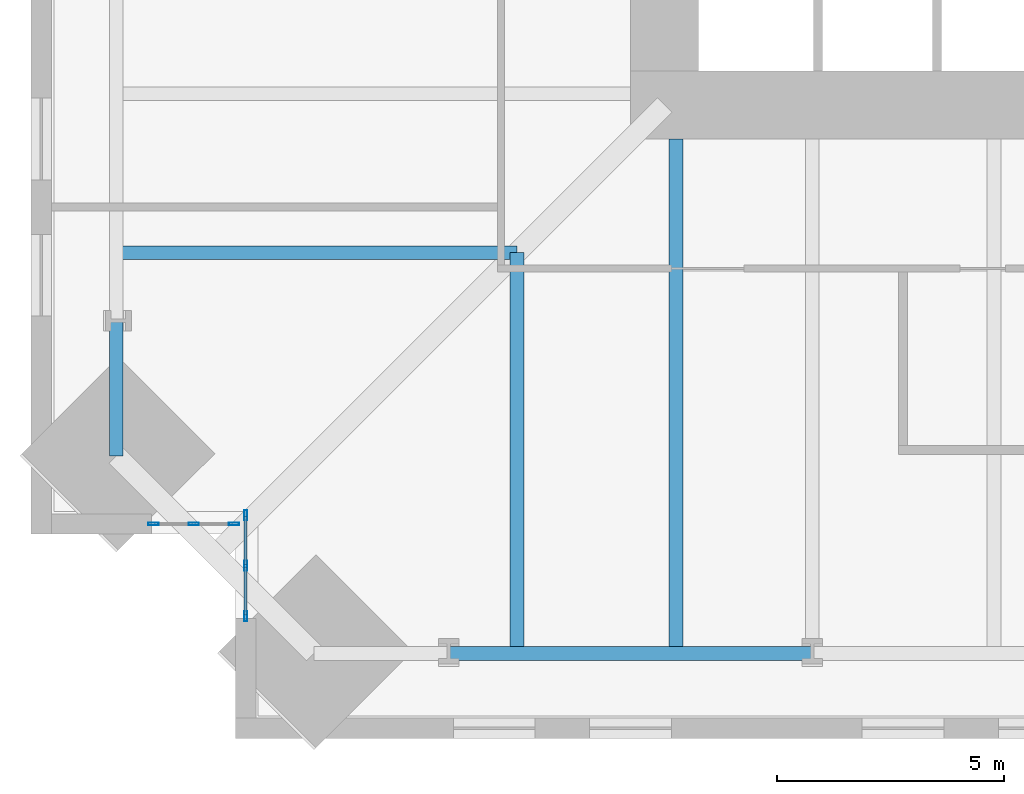
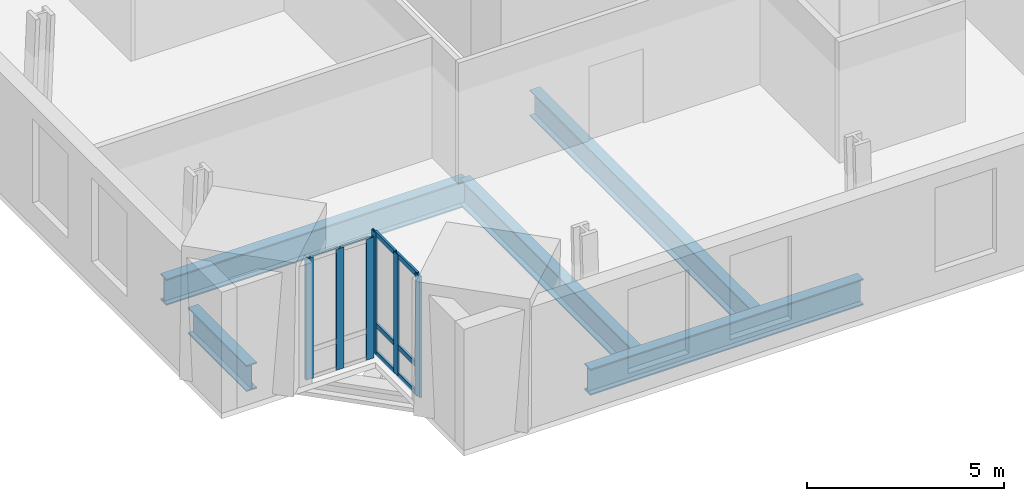
# One storey, part 2 of 15: 12 members, 5 beams, 2 elements without a shape of their own.
"""IFC4 building model written with IfcOpenShell, lengths in metres."""

import ifcopenshell
import ifcopenshell.guid

model = None  # the IFC model being written
_history = None  # IfcOwnerHistory: only IFC2X3 demands one
_inside = {}  # id of a spatial element -> (the spatial element, [elements in it])
_under = {}  # id of a project, library or spatial element -> (it, [spatial elements below it])
_declared = {}  # id of a project -> (the project, [libraries it declares])
_typed = {}  # id of a type object -> (the type object, [elements of that type])
_made_of = {}  # id of a material, layer set ... -> (it, [elements and type objects made of it])


def new_model(schema):
    """Start an empty IFC model of exactly this schema.

    Asked for "IFC4X3", IfcOpenShell would pick the latest addendum, in which some entities
    have other attributes; the version numbers below select the first issue.
    IFC2X3 requires an IfcOwnerHistory on every rooted entity: one is made here for all.
    """
    global model, _history
    if schema == "IFC4X3":
        model = ifcopenshell.file(schema_version=(4, 3, 0, 0))
    else:
        model = ifcopenshell.file(schema=schema)
    _inside.clear()
    _under.clear()
    _declared.clear()
    _typed.clear()
    _made_of.clear()
    _history = None
    if model.schema == "IFC2X3":
        org = make("IfcOrganization", Name="unknown")
        user = make(
            "IfcPersonAndOrganization",
            ThePerson=make("IfcPerson", FamilyName="unknown"),
            TheOrganization=org,
        )
        app = make(
            "IfcApplication",
            ApplicationDeveloper=org,
            Version="unknown",
            ApplicationFullName="unknown",
            ApplicationIdentifier="unknown",
        )
        _history = make(
            "IfcOwnerHistory",
            OwningUser=user,
            OwningApplication=app,
            ChangeAction="ADDED",
            CreationDate=0,
        )
    return model


def make(cls, **values):
    """One entity of the class cls with the attributes given. An attribute that is None is left unset."""
    return model.create_entity(
        cls, **{name: value for name, value in values.items() if value is not None}
    )


def rooted(cls, **values):
    """An entity with a GlobalId (a new one), such as an element, a storey or a relation."""
    return make(cls, GlobalId=ifcopenshell.guid.new(), OwnerHistory=_history, **values)


def si_unit(unit_type, name, prefix=None):
    """IfcSIUnit, for example si_unit("LENGTHUNIT", "METRE", prefix="MILLI")."""
    return make("IfcSIUnit", UnitType=unit_type, Prefix=prefix, Name=name)


def assignment(units):
    """IfcUnitAssignment: the units of a project."""
    return None if units is None else make("IfcUnitAssignment", Units=units)


def point(xyz):
    """IfcCartesianPoint."""
    return None if xyz is None else make("IfcCartesianPoint", Coordinates=xyz)


def direction(xyz):
    """IfcDirection."""
    return None if xyz is None else make("IfcDirection", DirectionRatios=xyz)


def frame(location, z_axis=None, x_axis=None):
    """IfcAxis2Placement3D, a coordinate frame: its origin and axes. An axis left out is left unset."""
    return make(
        "IfcAxis2Placement3D",
        Location=point(location),
        Axis=direction(z_axis),
        RefDirection=direction(x_axis),
    )


def frame_2d(location, x_axis=None):
    """IfcAxis2Placement2D, a coordinate frame in the plane: its origin and x axis."""
    return make(
        "IfcAxis2Placement2D", Location=point(location), RefDirection=direction(x_axis)
    )


def origin():
    """The frame at (0, 0, 0) with its axes left unset."""
    return frame((0.0, 0.0, 0.0))


def origin_2d():
    """The frame at (0, 0) in the plane with its x axis left unset."""
    return frame_2d((0.0, 0.0))


def place(relative_to, where):
    """IfcLocalPlacement: puts the frame where relative to a parent placement (None: the world)."""
    return make(
        "IfcLocalPlacement", PlacementRelTo=relative_to, RelativePlacement=where
    )


def context(
    kind, dimensions, precision=None, world=None, true_north=None, identifier=None
):
    """IfcGeometricRepresentationContext, for example the 3D "Model" context."""
    return make(
        "IfcGeometricRepresentationContext",
        ContextIdentifier=identifier,
        ContextType=kind,
        CoordinateSpaceDimension=dimensions,
        Precision=precision,
        WorldCoordinateSystem=world,
        TrueNorth=true_north,
    )


def subcontext(parent, identifier, kind, view, scale=None):
    """IfcGeometricRepresentationSubContext, for example "Body" below "Model"."""
    return make(
        "IfcGeometricRepresentationSubContext",
        ContextIdentifier=identifier,
        ContextType=kind,
        ParentContext=parent,
        TargetScale=scale,
        TargetView=view,
    )


def project(units=None, contexts=None):
    """IfcProject with its units and contexts."""
    return rooted(
        "IfcProject",
        Name="project",
        RepresentationContexts=contexts,
        UnitsInContext=assignment(units),
    )


def spatial(cls, under=None, at=None, **own):
    """A site, building, storey or space (cls), placed at a placement, below another one or the project."""
    s = rooted(cls, ObjectPlacement=at, **own)
    if under is not None:
        _under.setdefault(under.id(), (under, []))[1].append(s)
    return s


def profile(cls, at=None, kind="AREA", **sizes):
    """A parametric profile (cls). Its sizes go by their IFC names, for example OverallWidth=200.0."""
    return make(cls, ProfileType=kind, Position=at, **sizes)


def hollow_rectangle(**sizes):
    """IfcRectangleHollowProfileDef."""
    return profile("IfcRectangleHollowProfileDef", **sizes)


def i_section(**sizes):
    """IfcIShapeProfileDef."""
    return profile("IfcIShapeProfileDef", **sizes)


def extrude(swept, where, along, depth):
    """IfcExtrudedAreaSolid: the profile swept, set in the frame where, extruded along a direction by depth."""
    return make(
        "IfcExtrudedAreaSolid",
        SweptArea=swept,
        Position=where,
        ExtrudedDirection=direction(along),
        Depth=depth,
    )


def shape(context_of_items, identifier, shape_type, items):
    """IfcShapeRepresentation: the items that make up one representation, for example the "Body"."""
    return make(
        "IfcShapeRepresentation",
        ContextOfItems=context_of_items,
        RepresentationIdentifier=identifier,
        RepresentationType=shape_type,
        Items=items,
    )


def material(Name=None, Category=None):
    """IfcMaterial."""
    return make("IfcMaterial", Name=Name, Category=Category)


def material_profile(
    of_material, cross_section, Name=None, Category=None, Priority=None
):
    """IfcMaterialProfile: a cross section and its material."""
    return make(
        "IfcMaterialProfile",
        Name=Name,
        Material=of_material,
        Profile=cross_section,
        Priority=Priority,
        Category=Category,
    )


def profile_set(profiles, Name=None, composite=None):
    """IfcMaterialProfileSet."""
    return make(
        "IfcMaterialProfileSet",
        Name=Name,
        MaterialProfiles=profiles,
        CompositeProfile=composite,
    )


def made_of(thing, what):
    """Note that an element or type object is made of a material, layer set ...; save() writes the relation."""
    if what is not None:
        _made_of.setdefault(what.id(), (what, []))[1].append(thing)
    return thing


def type_object(cls, material=None, **own):
    """A type object (cls), such as IfcWallType, which elements share."""
    return made_of(rooted(cls, **own), material)


def element(
    cls,
    number,
    at=None,
    inside=None,
    cuts=None,
    type_object=None,
    material=None,
    context=None,
    identifier="Body",
    shape_type=None,
    held_by="IfcProductDefinitionShape",
    body=None,
    shapes=None,
    **own,
):
    """One element of the class cls, such as IfcWall. Its Tag is "e" and its number.

    at: its placement. inside: the storey or other place that contains it. cuts: it is an
    opening in that element (IfcRelVoidsElement). A single representation is given by context,
    identifier, shape_type and body (its items); several are given by shapes. held_by: the class
    of the entity that holds the representations. save() writes the other relations.
    """
    e = rooted(cls, Tag="e%d" % number, ObjectPlacement=at, **own)
    if body is not None:
        shapes = [shape(context, identifier, shape_type, body)]
    if shapes is not None:
        e.Representation = make(held_by, Representations=shapes)
    if inside is not None:
        _inside.setdefault(inside.id(), (inside, []))[1].append(e)
    if cuts is not None:
        rooted(
            "IfcRelVoidsElement", RelatingBuildingElement=cuts, RelatedOpeningElement=e
        )
    if type_object is not None:
        _typed.setdefault(type_object.id(), (type_object, []))[1].append(e)
    return made_of(e, material)


def aggregate(whole, parts):
    """IfcRelAggregates: a whole, such as a stair, and the parts it consists of."""
    return rooted("IfcRelAggregates", RelatingObject=whole, RelatedObjects=parts)


def save(model, path):
    """Write the relations noted so far, then the file.

    IfcRelAggregates (storeys below a building ...), IfcRelContainedInSpatialStructure (elements
    in a storey), IfcRelDefinesByType, IfcRelAssociatesMaterial and IfcRelDeclares: one each for
    every whole, place, type object, material and project.
    """
    for whole, parts in _under.values():
        aggregate(whole, parts)
    for where, things in _inside.values():
        rooted(
            "IfcRelContainedInSpatialStructure",
            RelatedElements=things,
            RelatingStructure=where,
        )
    for kind, things in _typed.values():
        rooted("IfcRelDefinesByType", RelatedObjects=things, RelatingType=kind)
    for what, things in _made_of.values():
        rooted("IfcRelAssociatesMaterial", RelatedObjects=things, RelatingMaterial=what)
    for by, libraries in _declared.values():
        rooted("IfcRelDeclares", RelatingContext=by, RelatedDefinitions=libraries)
    model.write(path)


model = new_model("IFC4")

# Units and contexts
model_context = context("Model", 3, precision=1e-05, world=origin(), true_north=direction((0.0, 1.0)))
body_context = subcontext(model_context, "Body", "Model", "MODEL_VIEW")
ifc_project = project(units=[si_unit("LENGTHUNIT", "METRE"), si_unit("AREAUNIT", "SQUARE_METRE"), si_unit("VOLUMEUNIT", "CUBIC_METRE"), si_unit("PLANEANGLEUNIT", "RADIAN"), si_unit("MASSUNIT", "GRAM", prefix="KILO")], contexts=[model_context])

# Site, building, storey
site_placement = place(None, origin())
site = spatial("IfcSite", under=ifc_project, at=site_placement, CompositionType="ELEMENT")
building_placement = place(site_placement, origin())
building = spatial("IfcBuilding", under=site, at=building_placement, Name="Peilmerk Tower", CompositionType="ELEMENT")
storey_placement = place(building_placement, frame((0.0, 0.0, 187.800048828125)))
storey = spatial("IfcBuildingStorey", under=building, at=storey_placement, Name="L40", CompositionType="ELEMENT", Elevation=187.800048828125)

# Beams
ifc_material_1 = material(Name="Steel S460", Category="steel")
ifc_material_profile_1 = material_profile(ifc_material_1, i_section(OverallWidth=0.302978515625, OverallDepth=0.81396484375, WebThickness=0.02099609375, FlangeThickness=0.0400390625, at=origin_2d()), Name="HEM 800")
ifc_profile_set_1 = profile_set([ifc_material_profile_1], Name="Steel S460")
beam_type_1 = type_object("IfcBeamType", Name="B26 HEM 800 floor beam", PredefinedType="BEAM", material=ifc_profile_set_1)
beam_1_placement = place(storey_placement, frame((-11.0, -12.0, -0.5771484375), z_axis=(0.0, -1.0, 0.0), x_axis=(1.0, 0.0, 0.0)))
element("IfcBeam", 1, at=beam_1_placement, inside=storey, type_object=beam_type_1, Name="Floor beam L40", PredefinedType="BEAM", context=body_context, shape_type="SweptSolid", body=[
    extrude(i_section(OverallWidth=0.302978515625, OverallDepth=0.81396484375, WebThickness=0.02099609375, FlangeThickness=0.0400390625, at=origin_2d()), origin(), (0.0, 0.0, 1.0), 11.32421875),
])
for number, where, z_axis, x_axis, name in (
    (2, (-14.5, -14.5, -0.5771484375), (0.0, -1.0, 0.0), (1.0, 0.0, 0.0), "Floor beam L40"),
    (3, (-14.5, -14.5, -0.5771484375), (-1.0, 0.0, 0.0), (0.0, -1.0, 0.0), "Floor beam L40"),
):
    element("IfcBeam", number, at=place(storey_placement, frame(where, z_axis=z_axis, x_axis=x_axis)), inside=storey, type_object=beam_type_1, Name=name, PredefinedType="BEAM", context=body_context, shape_type="SweptSolid", body=[
        extrude(i_section(OverallWidth=0.302978515625, OverallDepth=0.81396484375, WebThickness=0.02099609375, FlangeThickness=0.0400390625, at=origin_2d()), origin(), (0.0, 0.0, 1.0), 8.82421875),
    ])
ifc_material_profile_2 = material_profile(ifc_material_1, i_section(OverallWidth=0.302978515625, OverallDepth=0.81396484375, WebThickness=0.02099609375, FlangeThickness=0.0400390625, at=origin_2d()), Name="HEM 800")
ifc_profile_set_2 = profile_set([ifc_material_profile_2], Name="Steel S460")
beam_type_2 = type_object("IfcBeamType", Name="B35 HEM 800 edge beam", PredefinedType="SPANDREL", material=ifc_profile_set_2)
beam_2_placement = place(storey_placement, frame((-16.0, -23.32421875, -0.5771484375), z_axis=(1.0, 0.0, 0.0), x_axis=(0.0, 1.0, 0.0)))
element("IfcBeam", 4, at=beam_2_placement, inside=storey, type_object=beam_type_2, Name="Edge beam L40", PredefinedType="SPANDREL", context=body_context, shape_type="SweptSolid", body=[
    extrude(i_section(OverallWidth=0.302978515625, OverallDepth=0.81396484375, WebThickness=0.02099609375, FlangeThickness=0.0400390625, at=origin_2d()), origin(), (0.0, 0.0, 1.0), 8.0),
])
beam_3_placement = place(storey_placement, frame((-23.32421875, -16.0, -0.5771484375), z_axis=(0.0, -1.0, 0.0), x_axis=(1.0, 0.0, 0.0)))
element("IfcBeam", 5, at=beam_3_placement, inside=storey, type_object=beam_type_2, Name="Edge beam L40", PredefinedType="SPANDREL", context=body_context, shape_type="SweptSolid", body=[
    extrude(i_section(OverallWidth=0.302978515625, OverallDepth=0.81396484375, WebThickness=0.02099609375, FlangeThickness=0.0400390625, at=origin_2d()), origin(), (0.0, 0.0, 1.0), 2.97412109375),
])

# Curtain wall, members
ifc_material_2 = material(Name="Aluminium stick curtain wall", Category="aluminium")
curtain_wall_type = type_object("IfcCurtainWallType", Name="CW3 stick curtain wall, 2250 module", PredefinedType="NOTDEFINED", material=ifc_material_2)
curtain_wall_1_placement = place(storey_placement, origin())
curtain_wall_1 = element("IfcCurtainWall", 6, at=curtain_wall_1_placement, inside=storey, type_object=curtain_wall_type, Name="Curtain wall CW3 SWA L40", PredefinedType="NOTDEFINED")
ifc_material_3 = material(Name="Aluminium EN AW-6063 T6", Category="aluminium")
ifc_material_profile_3 = material_profile(ifc_material_3, hollow_rectangle(XDim=0.06494140625, YDim=0.22509765625, WallThickness=0.00390625, at=origin_2d()), Name="AL 225x65x4")
ifc_profile_set_3 = profile_set([ifc_material_profile_3], Name="Aluminium EN AW-6063 T6")
member_type_1 = type_object("IfcMemberType", Name="CW3-M AL 225x65x4 mullion", PredefinedType="MULLION", material=ifc_profile_set_3)
member_1_placement = place(storey_placement, frame((-20.47509765625, -20.282470703125, 0.0), z_axis=(0.0, 0.0, 1.0), x_axis=(1.0, 0.0, 0.0)))
member_1 = element("IfcMember", 7, at=member_1_placement, type_object=member_type_1, Name="CW3 mullion 1", PredefinedType="MULLION", context=body_context, shape_type="SweptSolid", body=[
    extrude(hollow_rectangle(XDim=0.06494140625, YDim=0.22509765625, WallThickness=0.00390625, at=origin_2d()), origin(), (0.0, 0.0, 1.0), 3.75),
])
member_2_placement = place(storey_placement, frame((-20.47509765625, -21.394287109375, 0.0), z_axis=(0.0, 0.0, 1.0), x_axis=(1.0, 0.0, 0.0)))
member_2 = element("IfcMember", 8, at=member_2_placement, type_object=member_type_1, Name="CW3 mullion 2", PredefinedType="MULLION", context=body_context, shape_type="SweptSolid", body=[
    extrude(hollow_rectangle(XDim=0.06494140625, YDim=0.22509765625, WallThickness=0.00390625, at=origin_2d()), origin(), (0.0, 0.0, 1.0), 3.75),
])
member_3_placement = place(storey_placement, frame((-20.47509765625, -22.506103515625, 0.0), z_axis=(0.0, 0.0, 1.0), x_axis=(1.0, 0.0, 0.0)))
member_3 = element("IfcMember", 9, at=member_3_placement, type_object=member_type_1, Name="CW3 mullion 3", PredefinedType="MULLION", context=body_context, shape_type="SweptSolid", body=[
    extrude(hollow_rectangle(XDim=0.06494140625, YDim=0.22509765625, WallThickness=0.00390625, at=origin_2d()), origin(), (0.0, 0.0, 1.0), 3.75),
])

curtain_wall_2_placement = place(storey_placement, origin())
curtain_wall_2 = element("IfcCurtainWall", 10, at=curtain_wall_2_placement, inside=storey, type_object=curtain_wall_type, Name="Curtain wall CW3 SWB L40", PredefinedType="NOTDEFINED")
member_4_placement = place(storey_placement, frame((-20.732421875, -20.47509765625, 0.0), z_axis=(0.0, 0.0, 1.0), x_axis=(0.0, -1.0, 0.0)))
member_4 = element("IfcMember", 11, at=member_4_placement, type_object=member_type_1, Name="CW3 mullion 1", PredefinedType="MULLION", context=body_context, shape_type="SweptSolid", body=[
    extrude(hollow_rectangle(XDim=0.06494140625, YDim=0.22509765625, WallThickness=0.00390625, at=origin_2d()), origin(), (0.0, 0.0, 1.0), 3.75),
])
member_5_placement = place(storey_placement, frame((-21.619384765625, -20.47509765625, 0.0), z_axis=(0.0, 0.0, 1.0), x_axis=(0.0, -1.0, 0.0)))
member_5 = element("IfcMember", 12, at=member_5_placement, type_object=member_type_1, Name="CW3 mullion 2", PredefinedType="MULLION", context=body_context, shape_type="SweptSolid", body=[
    extrude(hollow_rectangle(XDim=0.06494140625, YDim=0.22509765625, WallThickness=0.00390625, at=origin_2d()), origin(), (0.0, 0.0, 1.0), 3.75),
])
member_6_placement = place(storey_placement, frame((-22.506103515625, -20.47509765625, 0.0), z_axis=(0.0, 0.0, 1.0), x_axis=(0.0, -1.0, 0.0)))
member_6 = element("IfcMember", 13, at=member_6_placement, type_object=member_type_1, Name="CW3 mullion 3", PredefinedType="MULLION", context=body_context, shape_type="SweptSolid", body=[
    extrude(hollow_rectangle(XDim=0.06494140625, YDim=0.22509765625, WallThickness=0.00390625, at=origin_2d()), origin(), (0.0, 0.0, 1.0), 3.75),
])
aggregate(curtain_wall_2, [member_4, member_5, member_6])

# Member
ifc_material_profile_4 = material_profile(ifc_material_3, hollow_rectangle(XDim=0.06494140625, YDim=0.14990234375, WallThickness=0.0029296875, at=origin_2d()), Name="AL 150x65x3")
ifc_profile_set_4 = profile_set([ifc_material_profile_4], Name="Aluminium EN AW-6063 T6")
member_type_2 = type_object("IfcMemberType", Name="CW3-T AL 150x65x3 transom", PredefinedType="USERDEFINED", material=ifc_profile_set_4)
member_7_placement = place(storey_placement, frame((-20.47509765625, -20.31494140625, 0.032470703125), z_axis=(0.0, -1.0, 0.0), x_axis=(1.0, 0.0, 0.0)))
member_7 = element("IfcMember", 14, at=member_7_placement, type_object=member_type_2, Name="CW3 transom 1.1", ObjectType="TRANSOM", PredefinedType="USERDEFINED", context=body_context, shape_type="SweptSolid", body=[
    extrude(hollow_rectangle(XDim=0.06494140625, YDim=0.14990234375, WallThickness=0.0029296875, at=origin_2d()), origin(), (0.0, 0.0, 1.0), 1.046875),
])

member_8_placement = place(storey_placement, frame((-20.47509765625, -20.31494140625, 0.89990234375), z_axis=(0.0, -1.0, 0.0), x_axis=(1.0, 0.0, 0.0)))
member_8 = element("IfcMember", 15, at=member_8_placement, type_object=member_type_2, Name="CW3 transom 1.2", ObjectType="TRANSOM", PredefinedType="USERDEFINED", context=body_context, shape_type="SweptSolid", body=[
    extrude(hollow_rectangle(XDim=0.06494140625, YDim=0.14990234375, WallThickness=0.0029296875, at=origin_2d()), origin(), (0.0, 0.0, 1.0), 1.046875),
])

member_9_placement = place(storey_placement, frame((-20.47509765625, -20.31494140625, 3.717529296875), z_axis=(0.0, -1.0, 0.0), x_axis=(1.0, 0.0, 0.0)))
member_9 = element("IfcMember", 16, at=member_9_placement, type_object=member_type_2, Name="CW3 transom 1.3", ObjectType="TRANSOM", PredefinedType="USERDEFINED", context=body_context, shape_type="SweptSolid", body=[
    extrude(hollow_rectangle(XDim=0.06494140625, YDim=0.14990234375, WallThickness=0.0029296875, at=origin_2d()), origin(), (0.0, 0.0, 1.0), 1.046875),
])

member_10_placement = place(storey_placement, frame((-20.47509765625, -21.4267578125, 0.032470703125), z_axis=(0.0, -1.0, 0.0), x_axis=(1.0, 0.0, 0.0)))
member_10 = element("IfcMember", 17, at=member_10_placement, type_object=member_type_2, Name="CW3 transom 2.1", ObjectType="TRANSOM", PredefinedType="USERDEFINED", context=body_context, shape_type="SweptSolid", body=[
    extrude(hollow_rectangle(XDim=0.06494140625, YDim=0.14990234375, WallThickness=0.0029296875, at=origin_2d()), origin(), (0.0, 0.0, 1.0), 1.046875),
])

member_11_placement = place(storey_placement, frame((-20.47509765625, -21.4267578125, 0.89990234375), z_axis=(0.0, -1.0, 0.0), x_axis=(1.0, 0.0, 0.0)))
member_11 = element("IfcMember", 18, at=member_11_placement, type_object=member_type_2, Name="CW3 transom 2.2", ObjectType="TRANSOM", PredefinedType="USERDEFINED", context=body_context, shape_type="SweptSolid", body=[
    extrude(hollow_rectangle(XDim=0.06494140625, YDim=0.14990234375, WallThickness=0.0029296875, at=origin_2d()), origin(), (0.0, 0.0, 1.0), 1.046875),
])

member_12_placement = place(storey_placement, frame((-20.47509765625, -21.4267578125, 3.717529296875), z_axis=(0.0, -1.0, 0.0), x_axis=(1.0, 0.0, 0.0)))
member_12 = element("IfcMember", 19, at=member_12_placement, type_object=member_type_2, Name="CW3 transom 2.3", ObjectType="TRANSOM", PredefinedType="USERDEFINED", context=body_context, shape_type="SweptSolid", body=[
    extrude(hollow_rectangle(XDim=0.06494140625, YDim=0.14990234375, WallThickness=0.0029296875, at=origin_2d()), origin(), (0.0, 0.0, 1.0), 1.046875),
])

aggregate(curtain_wall_1, [member_1, member_2, member_3, member_7, member_8, member_9, member_10, member_11, member_12])

save(model, "model.ifc")
